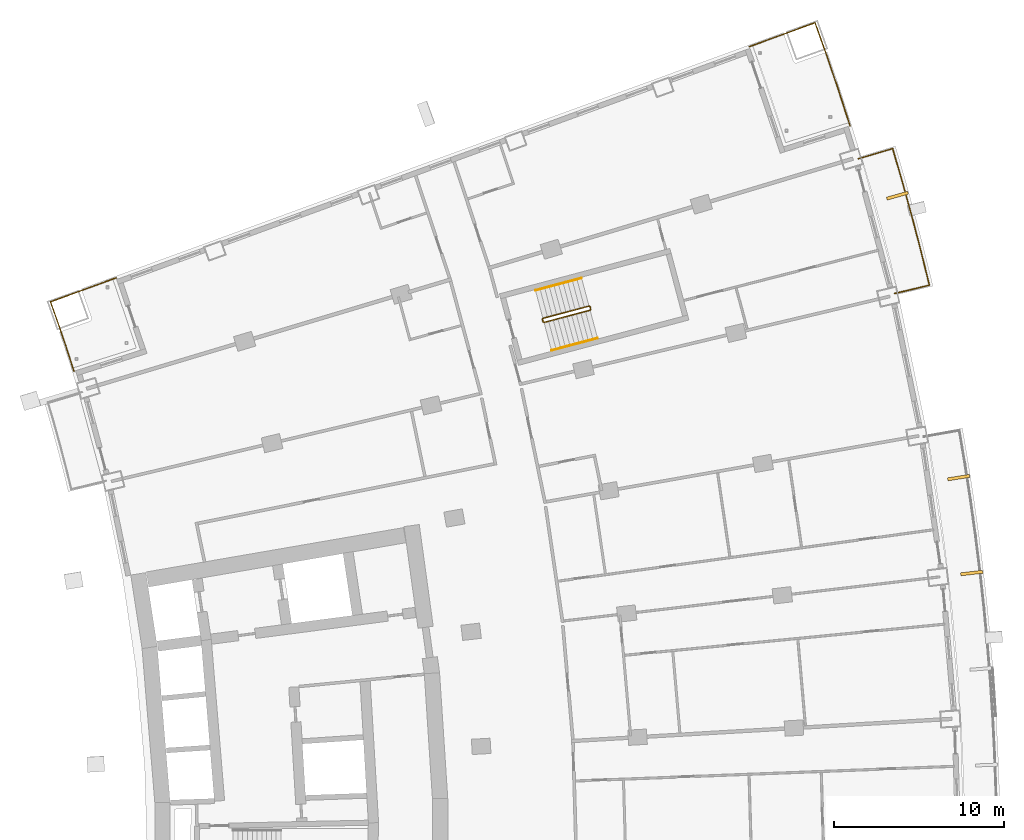
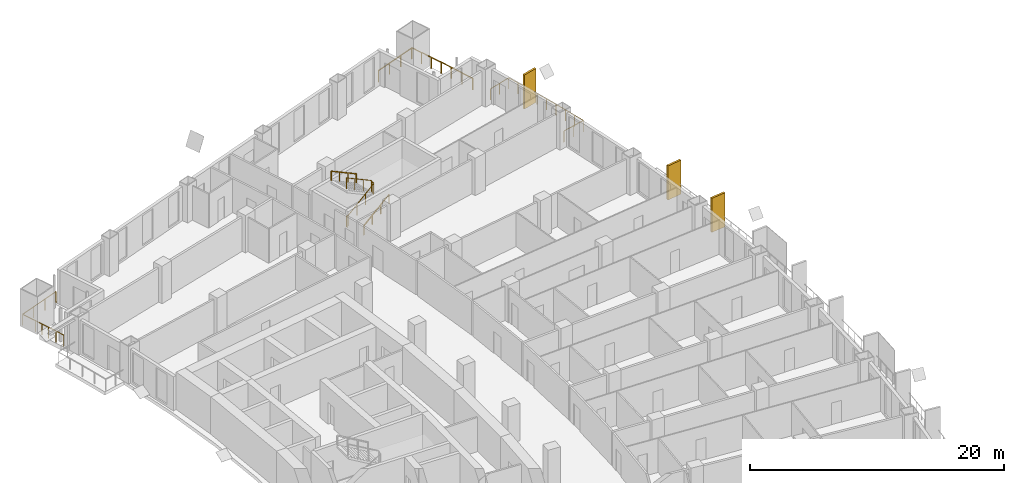
# One storey, part 24 of 24: 6 railings, 3 shading devices.
"""IFC4 building model written with IfcOpenShell, lengths in metres."""

from ifc_helpers import new_model, si_unit, direction, frame, origin, origin_2d, place, context, subcontext, project, spatial, rectangle, extrude, material, layer, layer_set, type_object, element, save


model = new_model("IFC4")

# Units and contexts
model_context = context("Model", 3, precision=1e-05, world=origin(), true_north=direction((0.0, 1.0)))
body_context = subcontext(model_context, "Body", "Model", "MODEL_VIEW")
ifc_project = project(units=[si_unit("LENGTHUNIT", "METRE"), si_unit("AREAUNIT", "SQUARE_METRE"), si_unit("VOLUMEUNIT", "CUBIC_METRE"), si_unit("PLANEANGLEUNIT", "RADIAN"), si_unit("MASSUNIT", "GRAM", prefix="KILO")], contexts=[model_context])

# Site, building, storey
site_placement = place(None, origin())
site = spatial("IfcSite", under=ifc_project, at=site_placement, CompositionType="ELEMENT")
building_placement = place(site_placement, origin())
building = spatial("IfcBuilding", under=site, at=building_placement, Name="Alderwake Tower", CompositionType="ELEMENT")
storey_placement = place(building_placement, frame((0.0, 0.0, 39.199951171875)))
storey = spatial("IfcBuildingStorey", under=building, at=storey_placement, Name="L08", CompositionType="ELEMENT", Elevation=39.199951171875)

# Railings
ifc_material_1 = material(Name="Stainless steel 316 rail and posts", Category="steel")
railing_type_1 = type_object("IfcRailingType", Name="Balcony guard 1100", PredefinedType="GUARDRAIL", material=ifc_material_1)
railing_1_placement = place(storey_placement, frame((59.88037109375, 94.345703125, 0.0)))
element("IfcRailing", 1, at=railing_1_placement, inside=storey, type_object=railing_type_1, Name="Guard BF11", PredefinedType="GUARDRAIL", context=body_context, shape_type="SweptSolid", body=[
    extrude(rectangle(XDim=0.048095703125, YDim=0.048095703125, at=origin_2d()), frame((0.0, 0.0, 1.076171875), z_axis=(0.972757543149, 0.231824852521, 0.0), x_axis=(-0.231824852521, 0.972757543149, 0.0)), (0.0, 0.0, 1.0), 2.099853515625),
    extrude(rectangle(XDim=0.048095703125, YDim=0.048095703125, at=origin_2d()), frame((2.042724609375, 0.48681640625, 1.076171875), z_axis=(-0.238624335731, 0.971111953586, 0.0), x_axis=(-0.971111953586, -0.238624335731, 0.0)), (0.0, 0.0, 1.0), 2.02783203125),
    extrude(rectangle(XDim=0.048095703125, YDim=0.048095703125, at=origin_2d()), frame((1.558837890625, 2.4560546875, 1.076171875), z_axis=(-0.252459268242, 0.967607522645, 0.0), x_axis=(-0.967607522645, -0.252459268242, 0.0)), (0.0, 0.0, 1.0), 2.12744140625),
    extrude(rectangle(XDim=0.048095703125, YDim=0.048095703125, at=origin_2d()), frame((1.021728515625, 4.5146484375, 1.076171875), z_axis=(-0.266542966144, 0.963823037284, 0.0), x_axis=(-0.963823037284, -0.266542966144, 0.0)), (0.0, 0.0, 1.0), 2.127685546875),
    extrude(rectangle(XDim=0.048095703125, YDim=0.048095703125, at=origin_2d()), frame((0.45458984375, 6.5654296875, 1.076171875), z_axis=(-0.280171060033, 0.959950090953, 0.0), x_axis=(-0.959950090953, -0.280171060033, 0.0)), (0.0, 0.0, 1.0), 2.02783203125),
    extrude(rectangle(XDim=0.048095703125, YDim=0.048095703125, at=origin_2d()), frame((-0.113525390625, 8.511962890625, 1.076171875), z_axis=(-0.957954179098, -0.286921227429, 0.0), x_axis=(0.286921227429, -0.957954179098, 0.0)), (0.0, 0.0, 1.0), 2.10009765625),
    extrude(rectangle(XDim=0.0419921875, YDim=0.0419921875, at=origin_2d()), frame((0.0, 0.0, 0.0), z_axis=(0.0, 0.0, 1.0), x_axis=(0.972757543149, 0.231824852521, 0.0)), (0.0, 0.0, 1.0), 1.052001953125),
    extrude(rectangle(XDim=0.0419921875, YDim=0.0419921875, at=origin_2d()), frame((1.021484375, 0.243408203125, 0.0), z_axis=(0.0, 0.0, 1.0), x_axis=(0.972757543149, 0.231824852521, 0.0)), (0.0, 0.0, 1.0), 1.052001953125),
    extrude(rectangle(XDim=0.0419921875, YDim=0.0419921875, at=origin_2d()), frame((2.042724609375, 0.48681640625, 0.0), z_axis=(0.0, 0.0, 1.0), x_axis=(-0.238624335731, 0.971111953586, 0.0)), (0.0, 0.0, 1.0), 1.052001953125),
    extrude(rectangle(XDim=0.0419921875, YDim=0.0419921875, at=origin_2d()), frame((1.80078125, 1.471435546875, 0.0), z_axis=(0.0, 0.0, 1.0), x_axis=(-0.238624335731, 0.971111953586, 0.0)), (0.0, 0.0, 1.0), 1.052001953125),
    extrude(rectangle(XDim=0.0419921875, YDim=0.0419921875, at=origin_2d()), frame((1.558837890625, 2.4560546875, 0.0), z_axis=(0.0, 0.0, 1.0), x_axis=(-0.252459268242, 0.967607522645, 0.0)), (0.0, 0.0, 1.0), 1.052001953125),
    extrude(rectangle(XDim=0.0419921875, YDim=0.0419921875, at=origin_2d()), frame((1.290283203125, 3.4853515625, 0.0), z_axis=(0.0, 0.0, 1.0), x_axis=(-0.252459268242, 0.967607522645, 0.0)), (0.0, 0.0, 1.0), 1.052001953125),
    extrude(rectangle(XDim=0.0419921875, YDim=0.0419921875, at=origin_2d()), frame((1.021728515625, 4.5146484375, 0.0), z_axis=(0.0, 0.0, 1.0), x_axis=(-0.266542966144, 0.963823037284, 0.0)), (0.0, 0.0, 1.0), 1.052001953125),
    extrude(rectangle(XDim=0.0419921875, YDim=0.0419921875, at=origin_2d()), frame((0.73828125, 5.5400390625, 0.0), z_axis=(0.0, 0.0, 1.0), x_axis=(-0.266542966144, 0.963823037284, 0.0)), (0.0, 0.0, 1.0), 1.052001953125),
    extrude(rectangle(XDim=0.0419921875, YDim=0.0419921875, at=origin_2d()), frame((0.45458984375, 6.5654296875, 0.0), z_axis=(0.0, 0.0, 1.0), x_axis=(-0.280171060033, 0.959950090953, 0.0)), (0.0, 0.0, 1.0), 1.052001953125),
    extrude(rectangle(XDim=0.0419921875, YDim=0.0419921875, at=origin_2d()), frame((0.17041015625, 7.53857421875, 0.0), z_axis=(0.0, 0.0, 1.0), x_axis=(-0.280171060033, 0.959950090953, 0.0)), (0.0, 0.0, 1.0), 1.052001953125),
    extrude(rectangle(XDim=0.0419921875, YDim=0.0419921875, at=origin_2d()), frame((-0.113525390625, 8.511962890625, 0.0), z_axis=(0.0, 0.0, 1.0), x_axis=(-0.957954179098, -0.286921227429, 0.0)), (0.0, 0.0, 1.0), 1.052001953125),
    extrude(rectangle(XDim=0.0419921875, YDim=0.0419921875, at=origin_2d()), frame((-1.119384765625, 8.210693359375, 0.0), z_axis=(0.0, 0.0, 1.0), x_axis=(-0.957954179098, -0.286921227429, 0.0)), (0.0, 0.0, 1.0), 1.052001953125),
    extrude(rectangle(XDim=0.0419921875, YDim=0.0419921875, at=origin_2d()), frame((-2.125244140625, 7.909423828125, 0.0), z_axis=(0.0, 0.0, 1.0), x_axis=(-0.957954179098, -0.286921227429, 0.0)), (0.0, 0.0, 1.0), 1.052001953125),
])
railing_2_placement = place(storey_placement, frame((57.2646484375, 104.193115234375, 0.0)))
element("IfcRailing", 2, at=railing_2_placement, inside=storey, type_object=railing_type_1, Name="Guard terrace FN", PredefinedType="GUARDRAIL", context=body_context, shape_type="SweptSolid", body=[
    extrude(rectangle(XDim=0.048095703125, YDim=0.048095703125, at=origin_2d()), frame((0.0, 0.0, 1.076171875), z_axis=(-0.307834426273, 0.951439943455, 0.0), x_axis=(-0.951439943455, -0.307834426273, 0.0)), (0.0, 0.0, 1.0), 2.29833984375),
    extrude(rectangle(XDim=0.048095703125, YDim=0.048095703125, at=origin_2d()), frame((-0.70751953125, 2.186767578125, 1.076171875), z_axis=(-0.322259361339, 0.946651416324, 0.0), x_axis=(-0.946651416324, -0.322259361339, 0.0)), (0.0, 0.0, 1.0), 2.0986328125),
    extrude(rectangle(XDim=0.048095703125, YDim=0.048095703125, at=origin_2d()), frame((-1.3837890625, 4.17333984375, 1.076171875), z_axis=(-0.335694014626, 0.941971086894, 0.0), x_axis=(-0.941971086894, -0.335694014626, 0.0)), (0.0, 0.0, 1.0), 1.99853515625),
    extrude(rectangle(XDim=0.048095703125, YDim=0.048095703125, at=origin_2d()), frame((-2.0546875, 6.055908203125, 1.076171875), z_axis=(-0.939598546558, -0.342278499627, 0.0), x_axis=(0.342278499627, -0.939598546558, 0.0)), (0.0, 0.0, 1.0), 4.099853515625),
    extrude(rectangle(XDim=0.0419921875, YDim=0.0419921875, at=origin_2d()), frame((0.0, 0.0, 0.0), z_axis=(0.0, 0.0, 1.0), x_axis=(-0.307834426273, 0.951439943455, 0.0)), (0.0, 0.0, 1.0), 1.052001953125),
    extrude(rectangle(XDim=0.0419921875, YDim=0.0419921875, at=origin_2d()), frame((-0.353759765625, 1.09326171875, 0.0), z_axis=(0.0, 0.0, 1.0), x_axis=(-0.307834426273, 0.951439943455, 0.0)), (0.0, 0.0, 1.0), 1.052001953125),
    extrude(rectangle(XDim=0.0419921875, YDim=0.0419921875, at=origin_2d()), frame((-0.70751953125, 2.186767578125, 0.0), z_axis=(0.0, 0.0, 1.0), x_axis=(-0.322259361339, 0.946651416324, 0.0)), (0.0, 0.0, 1.0), 1.052001953125),
    extrude(rectangle(XDim=0.0419921875, YDim=0.0419921875, at=origin_2d()), frame((-1.045654296875, 3.18017578125, 0.0), z_axis=(0.0, 0.0, 1.0), x_axis=(-0.322259361339, 0.946651416324, 0.0)), (0.0, 0.0, 1.0), 1.052001953125),
    extrude(rectangle(XDim=0.0419921875, YDim=0.0419921875, at=origin_2d()), frame((-1.3837890625, 4.17333984375, 0.0), z_axis=(0.0, 0.0, 1.0), x_axis=(-0.335694014626, 0.941971086894, 0.0)), (0.0, 0.0, 1.0), 1.052001953125),
    extrude(rectangle(XDim=0.0419921875, YDim=0.0419921875, at=origin_2d()), frame((-1.71923828125, 5.11474609375, 0.0), z_axis=(0.0, 0.0, 1.0), x_axis=(-0.335694014626, 0.941971086894, 0.0)), (0.0, 0.0, 1.0), 1.052001953125),
    extrude(rectangle(XDim=0.0419921875, YDim=0.0419921875, at=origin_2d()), frame((-2.0546875, 6.055908203125, 0.0), z_axis=(0.0, 0.0, 1.0), x_axis=(-0.939598546558, -0.342278499627, 0.0)), (0.0, 0.0, 1.0), 1.052001953125),
    extrude(rectangle(XDim=0.0419921875, YDim=0.0419921875, at=origin_2d()), frame((-3.3388671875, 5.588134765625, 0.0), z_axis=(0.0, 0.0, 1.0), x_axis=(-0.939598546558, -0.342278499627, 0.0)), (0.0, 0.0, 1.0), 1.052001953125),
    extrude(rectangle(XDim=0.0419921875, YDim=0.0419921875, at=origin_2d()), frame((-4.622802734375, 5.120361328125, 0.0), z_axis=(0.0, 0.0, 1.0), x_axis=(-0.939598546558, -0.342278499627, 0.0)), (0.0, 0.0, 1.0), 1.052001953125),
    extrude(rectangle(XDim=0.0419921875, YDim=0.0419921875, at=origin_2d()), frame((-5.906982421875, 4.652587890625, 0.0), z_axis=(0.0, 0.0, 1.0), x_axis=(-0.939598546558, -0.342278499627, 0.0)), (0.0, 0.0, 1.0), 1.052001953125),
])
railing_3_placement = place(storey_placement, frame((11.688720703125, 89.781982421875, 0.0)))
element("IfcRailing", 3, at=railing_3_placement, inside=storey, type_object=railing_type_1, Name="Guard terrace RN", PredefinedType="GUARDRAIL", context=body_context, shape_type="SweptSolid", body=[
    extrude(rectangle(XDim=0.048095703125, YDim=0.048095703125, at=origin_2d()), frame((0.0, 0.0, 1.076171875), z_axis=(-0.307479326145, 0.951554761426, 0.0), x_axis=(-0.951554761426, -0.307479326145, 0.0)), (0.0, 0.0, 1.0), 1.6015625),
    extrude(rectangle(XDim=0.048095703125, YDim=0.048095703125, at=origin_2d()), frame((-0.492431640625, 1.52392578125, 1.076171875), z_axis=(-0.322283727344, 0.946643121292, 0.0), x_axis=(-0.946643121292, -0.322283727344, 0.0)), (0.0, 0.0, 1.0), 1.4013671875),
    extrude(rectangle(XDim=0.048095703125, YDim=0.048095703125, at=origin_2d()), frame((-0.944091796875, 2.8505859375, 1.076171875), z_axis=(-0.335468607403, 0.942051385778, 0.0), x_axis=(-0.942051385778, -0.335468607403, 0.0)), (0.0, 0.0, 1.0), 1.30126953125),
    extrude(rectangle(XDim=0.048095703125, YDim=0.048095703125, at=origin_2d()), frame((-1.380615234375, 4.076416015625, 1.076171875), z_axis=(0.939708203232, 0.341977327873, 0.0), x_axis=(-0.341977327873, 0.939708203232, 0.0)), (0.0, 0.0, 1.0), 4.10009765625),
    extrude(rectangle(XDim=0.0419921875, YDim=0.0419921875, at=origin_2d()), frame((0.0, 0.0, 0.0), z_axis=(0.0, 0.0, 1.0), x_axis=(-0.307479326145, 0.951554761426, 0.0)), (0.0, 0.0, 1.0), 1.052001953125),
    extrude(rectangle(XDim=0.0419921875, YDim=0.0419921875, at=origin_2d()), frame((-0.24609375, 0.761962890625, 0.0), z_axis=(0.0, 0.0, 1.0), x_axis=(-0.307479326145, 0.951554761426, 0.0)), (0.0, 0.0, 1.0), 1.052001953125),
    extrude(rectangle(XDim=0.0419921875, YDim=0.0419921875, at=origin_2d()), frame((-0.492431640625, 1.52392578125, 0.0), z_axis=(0.0, 0.0, 1.0), x_axis=(-0.322283727344, 0.946643121292, 0.0)), (0.0, 0.0, 1.0), 1.052001953125),
    extrude(rectangle(XDim=0.0419921875, YDim=0.0419921875, at=origin_2d()), frame((-0.71826171875, 2.187255859375, 0.0), z_axis=(0.0, 0.0, 1.0), x_axis=(-0.322283727344, 0.946643121292, 0.0)), (0.0, 0.0, 1.0), 1.052001953125),
    extrude(rectangle(XDim=0.0419921875, YDim=0.0419921875, at=origin_2d()), frame((-0.944091796875, 2.8505859375, 0.0), z_axis=(0.0, 0.0, 1.0), x_axis=(-0.335468607403, 0.942051385778, 0.0)), (0.0, 0.0, 1.0), 1.052001953125),
    extrude(rectangle(XDim=0.0419921875, YDim=0.0419921875, at=origin_2d()), frame((-1.380615234375, 4.076416015625, 0.0), z_axis=(0.0, 0.0, 1.0), x_axis=(0.939708203232, 0.341977327873, 0.0)), (0.0, 0.0, 1.0), 1.052001953125),
    extrude(rectangle(XDim=0.0419921875, YDim=0.0419921875, at=origin_2d()), frame((-0.096435546875, 4.543701171875, 0.0), z_axis=(0.0, 0.0, 1.0), x_axis=(0.939708203232, 0.341977327873, 0.0)), (0.0, 0.0, 1.0), 1.052001953125),
    extrude(rectangle(XDim=0.0419921875, YDim=0.0419921875, at=origin_2d()), frame((1.18798828125, 5.01123046875, 0.0), z_axis=(0.0, 0.0, 1.0), x_axis=(0.939708203232, 0.341977327873, 0.0)), (0.0, 0.0, 1.0), 1.052001953125),
    extrude(rectangle(XDim=0.0419921875, YDim=0.0419921875, at=origin_2d()), frame((2.47216796875, 5.478515625, 0.0), z_axis=(0.0, 0.0, 1.0), x_axis=(0.939708203232, 0.341977327873, 0.0)), (0.0, 0.0, 1.0), 1.052001953125),
])

# Shading devices
ifc_material_2 = material(Name="Bronze anodised aluminium", Category="aluminium")
ifc_layer = layer(ifc_material_2, 0.179931640625)
ifc_layer_set = layer_set([ifc_layer], Name="Facade fin 1300")
shading_device_type = type_object("IfcShadingDeviceType", Name="Facade fin 1300", PredefinedType="USERDEFINED", material=ifc_layer_set)
for number, where, z_axis, x_axis, name in (
    (4, (64.410888671875, 77.9296875, 0.0), (0.0, 0.0, 1.0), (0.993198315083, 0.116434990084, 0.0), "Fin"),
    (5, (63.643310546875, 83.533203125, 0.0), (0.0, 0.0, 1.0), (0.987918787879, 0.154972476771, 0.0), "Fin"),
    (6, (60.046630859375, 100.0908203125, 0.0), (0.0, 0.0, 1.0), (0.96318180783, 0.268850897459, 0.0), "Fin"),
):
    element("IfcShadingDevice", number, at=place(storey_placement, frame(where, z_axis=z_axis, x_axis=x_axis)), inside=storey, type_object=shading_device_type, Name=name, ObjectType="FIN", PredefinedType="USERDEFINED", context=body_context, shape_type="SweptSolid", body=[
        extrude(rectangle(XDim=1.300048828125, YDim=0.179931640625, at=origin_2d()), origin(), (0.0, 0.0, 1.0), 3.280029296875),
    ])

# Railings
ifc_material_3 = material(Name="Stainless steel guard", Category="steel")
railing_type_2 = type_object("IfcRailingType", Name="Stair guard 1100", PredefinedType="GUARDRAIL", material=ifc_material_3)
railing_4_placement = place(storey_placement, frame((39.23291015625, 92.6806640625, 0.0)))
element("IfcRailing", 7, at=railing_4_placement, inside=storey, type_object=railing_type_2, Name="L08 ST-A stair guard 1", PredefinedType="GUARDRAIL", context=body_context, shape_type="SweptSolid", body=[
    extrude(rectangle(XDim=0.048095703125, YDim=0.048095703125, at=origin_2d()), frame((0.0, 0.0, 1.076171875), z_axis=(-0.257055032184, 0.966396766566, 0.0), x_axis=(-0.966396766566, -0.257055032184, 0.0)), (0.0, 0.0, 1.0), 0.150146484375),
    extrude(rectangle(XDim=0.048095703125, YDim=0.048095703125, at=origin_2d()), frame((-0.03857421875, 0.14501953125, 1.076171875), z_axis=(0.379370725808, -0.685464465458, 0.621463047167), x_axis=(0.874937996095, 0.484234966715, 0.0)), (0.0, 0.0, 1.0), 0.26318359375),
    extrude(rectangle(XDim=0.048095703125, YDim=0.048095703125, at=origin_2d()), frame((0.061279296875, -0.035400390625, 1.23974609375), z_axis=(0.834258940753, 0.22222815314, 0.504605457487), x_axis=(-0.257402139082, 0.966304371715, 0.0)), (0.0, 0.0, 1.0), 3.2431640625),
    extrude(rectangle(XDim=0.048095703125, YDim=0.048095703125, at=origin_2d()), frame((2.766845703125, 0.685302734375, 2.8759765625), z_axis=(0.500220121494, 0.865898279276, 0.0), x_axis=(-0.865898279276, 0.500220121494, 0.0)), (0.0, 0.0, 1.0), 0.07080078125),
    extrude(rectangle(XDim=0.048095703125, YDim=0.048095703125, at=origin_2d()), frame((2.80224609375, 0.74658203125, 2.8759765625), z_axis=(-0.257459803502, 0.966289009345, 0.0), x_axis=(-0.966289009345, -0.257459803502, 0.0)), (0.0, 0.0, 1.0), 0.14990234375),
    extrude(rectangle(XDim=0.048095703125, YDim=0.048095703125, at=origin_2d()), frame((2.763671875, 0.891357421875, 2.8759765625), z_axis=(-0.34252489212, 0.200034536998, 0.917966710881), x_axis=(-0.504300490226, -0.863528236688, 0.0)), (0.0, 0.0, 1.0), 0.17822265625),
    extrude(rectangle(XDim=0.048095703125, YDim=0.048095703125, at=origin_2d()), frame((2.70263671875, 0.927001953125, 3.03955078125), z_axis=(-0.834281824786, -0.222214197128, 0.504573768072), x_axis=(0.257380452725, -0.966310148221, 0.0)), (0.0, 0.0, 1.0), 3.2431640625),
    extrude(rectangle(XDim=0.0419921875, YDim=0.0419921875, at=origin_2d()), frame((0.0, 0.0, 0.0), z_axis=(0.0, 0.0, 1.0), x_axis=(-0.257055032184, 0.966396766566, 0.0)), (0.0, 0.0, 1.0), 1.052001953125),
    extrude(rectangle(XDim=0.0419921875, YDim=0.0419921875, at=origin_2d()), frame((-0.03857421875, 0.14501953125, 0.0), z_axis=(0.0, 0.0, 1.0), x_axis=(0.484234966715, -0.874937996095, 0.0)), (0.0, 0.0, 1.0), 1.052001953125),
    extrude(rectangle(XDim=0.0419921875, YDim=0.0419921875, at=origin_2d()), frame((0.061279296875, -0.035400390625, 0.16357421875), z_axis=(0.0, 0.0, 1.0), x_axis=(0.966304371715, 0.257402139082, 0.0)), (0.0, 0.0, 1.0), 1.052001953125),
    extrude(rectangle(XDim=0.0419921875, YDim=0.0419921875, at=origin_2d()), frame((0.963134765625, 0.204833984375, 0.708984375), z_axis=(0.0, 0.0, 1.0), x_axis=(0.966304371715, 0.257402139082, 0.0)), (0.0, 0.0, 1.0), 1.052001953125),
    extrude(rectangle(XDim=0.0419921875, YDim=0.0419921875, at=origin_2d()), frame((1.864990234375, 0.445068359375, 1.254638671875), z_axis=(0.0, 0.0, 1.0), x_axis=(0.966304371715, 0.257402139082, 0.0)), (0.0, 0.0, 1.0), 1.052001953125),
    extrude(rectangle(XDim=0.0419921875, YDim=0.0419921875, at=origin_2d()), frame((2.766845703125, 0.685302734375, 1.800048828125), z_axis=(0.0, 0.0, 1.0), x_axis=(0.500220121494, 0.865898279276, 0.0)), (0.0, 0.0, 1.0), 1.052001953125),
    extrude(rectangle(XDim=0.0419921875, YDim=0.0419921875, at=origin_2d()), frame((2.80224609375, 0.74658203125, 1.800048828125), z_axis=(0.0, 0.0, 1.0), x_axis=(-0.257459803502, 0.966289009345, 0.0)), (0.0, 0.0, 1.0), 1.052001953125),
    extrude(rectangle(XDim=0.0419921875, YDim=0.0419921875, at=origin_2d()), frame((2.763671875, 0.891357421875, 1.800048828125), z_axis=(0.0, 0.0, 1.0), x_axis=(-0.863528236688, 0.504300490226, 0.0)), (0.0, 0.0, 1.0), 1.052001953125),
    extrude(rectangle(XDim=0.0419921875, YDim=0.0419921875, at=origin_2d()), frame((2.70263671875, 0.927001953125, 1.963623046875), z_axis=(0.0, 0.0, 1.0), x_axis=(-0.966310148221, -0.257380452725, 0.0)), (0.0, 0.0, 1.0), 1.052001953125),
    extrude(rectangle(XDim=0.0419921875, YDim=0.0419921875, at=origin_2d()), frame((1.80078125, 0.686767578125, 2.509033203125), z_axis=(0.0, 0.0, 1.0), x_axis=(-0.966310148221, -0.257380452725, 0.0)), (0.0, 0.0, 1.0), 1.052001953125),
    extrude(rectangle(XDim=0.0419921875, YDim=0.0419921875, at=origin_2d()), frame((0.898681640625, 0.446533203125, 3.0546875), z_axis=(0.0, 0.0, 1.0), x_axis=(-0.966310148221, -0.257380452725, 0.0)), (0.0, 0.0, 1.0), 1.052001953125),
    extrude(rectangle(XDim=0.0419921875, YDim=0.0419921875, at=origin_2d()), frame((-0.003173828125, 0.206298828125, 3.60009765625), z_axis=(0.0, 0.0, 1.0), x_axis=(-0.966310148221, -0.257380452725, 0.0)), (0.0, 0.0, 1.0), 1.052001953125),
])
ifc_material_4 = material(Name="Stainless steel handrail", Category="steel")
railing_type_3 = type_object("IfcRailingType", Name="Stair handrail 900", PredefinedType="HANDRAIL", material=ifc_material_4)
railing_5_placement = place(storey_placement, frame((39.731689453125, 91.002685546875, 0.16357421875)))
element("IfcRailing", 8, at=railing_5_placement, inside=storey, type_object=railing_type_3, Name="L08 ST-A stair handrail 1", PredefinedType="HANDRAIL", context=body_context, shape_type="SweptSolid", body=[
    extrude(rectangle(XDim=0.048095703125, YDim=0.048095703125, at=origin_2d()), frame((0.0, 0.0, 0.8759765625), z_axis=(0.834258940753, 0.22222815314, 0.504605457487), x_axis=(-0.257402139082, 0.966304371715, 0.0)), (0.0, 0.0, 1.0), 3.2431640625),
    extrude(rectangle(XDim=0.0419921875, YDim=0.0419921875, at=origin_2d()), frame((0.0, 0.0, 0.0), z_axis=(0.0, 0.0, 1.0), x_axis=(0.966304371715, 0.257402139082, 0.0)), (0.0, 0.0, 1.0), 0.851806640625),
    extrude(rectangle(XDim=0.0419921875, YDim=0.0419921875, at=origin_2d()), frame((0.90185546875, 0.240234375, 0.54541015625), z_axis=(0.0, 0.0, 1.0), x_axis=(0.966304371715, 0.257402139082, 0.0)), (0.0, 0.0, 1.0), 0.851806640625),
    extrude(rectangle(XDim=0.0419921875, YDim=0.0419921875, at=origin_2d()), frame((1.8037109375, 0.48046875, 1.091064453125), z_axis=(0.0, 0.0, 1.0), x_axis=(0.966304371715, 0.257402139082, 0.0)), (0.0, 0.0, 1.0), 0.851806640625),
    extrude(rectangle(XDim=0.0419921875, YDim=0.0419921875, at=origin_2d()), frame((2.70556640625, 0.720703125, 1.636474609375), z_axis=(0.0, 0.0, 1.0), x_axis=(0.966304371715, 0.257402139082, 0.0)), (0.0, 0.0, 1.0), 0.851806640625),
])
railing_6_placement = place(storey_placement, frame((41.497802734375, 95.250244140625, 1.963623046875)))
element("IfcRailing", 9, at=railing_6_placement, inside=storey, type_object=railing_type_3, Name="L08 ST-A stair handrail 2", PredefinedType="HANDRAIL", context=body_context, shape_type="SweptSolid", body=[
    extrude(rectangle(XDim=0.048095703125, YDim=0.048095703125, at=origin_2d()), frame((0.0, 0.0, 0.8759765625), z_axis=(-0.834258940753, -0.22222815314, 0.504605457487), x_axis=(0.257402139082, -0.966304371715, 0.0)), (0.0, 0.0, 1.0), 3.2431640625),
    extrude(rectangle(XDim=0.0419921875, YDim=0.0419921875, at=origin_2d()), frame((0.0, 0.0, 0.0), z_axis=(0.0, 0.0, 1.0), x_axis=(-0.966304371715, -0.257402139082, 0.0)), (0.0, 0.0, 1.0), 0.851806640625),
    extrude(rectangle(XDim=0.0419921875, YDim=0.0419921875, at=origin_2d()), frame((-0.90185546875, -0.240234375, 0.54541015625), z_axis=(0.0, 0.0, 1.0), x_axis=(-0.966304371715, -0.257402139082, 0.0)), (0.0, 0.0, 1.0), 0.851806640625),
    extrude(rectangle(XDim=0.0419921875, YDim=0.0419921875, at=origin_2d()), frame((-1.8037109375, -0.48046875, 1.091064453125), z_axis=(0.0, 0.0, 1.0), x_axis=(-0.966304371715, -0.257402139082, 0.0)), (0.0, 0.0, 1.0), 0.851806640625),
    extrude(rectangle(XDim=0.0419921875, YDim=0.0419921875, at=origin_2d()), frame((-2.70556640625, -0.720703125, 1.636474609375), z_axis=(0.0, 0.0, 1.0), x_axis=(-0.966304371715, -0.257402139082, 0.0)), (0.0, 0.0, 1.0), 0.851806640625),
])

save(model, "model.ifc")
